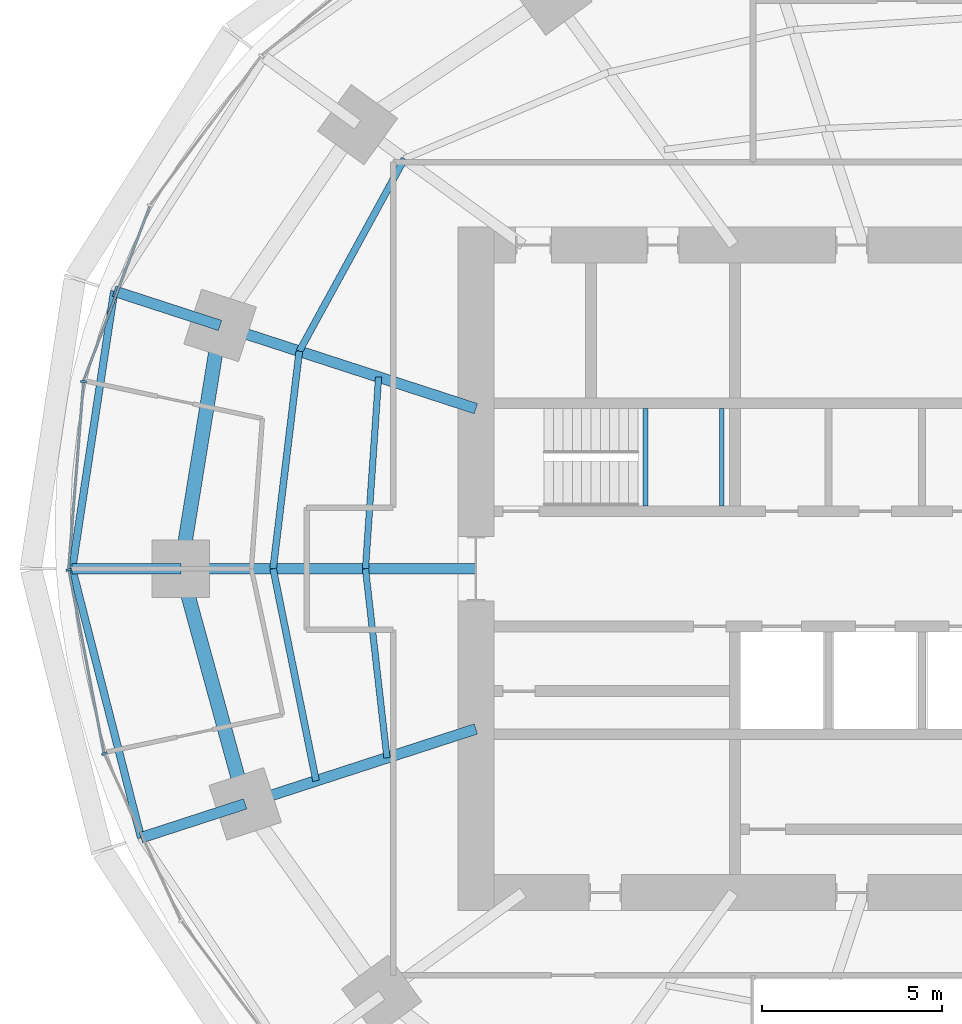
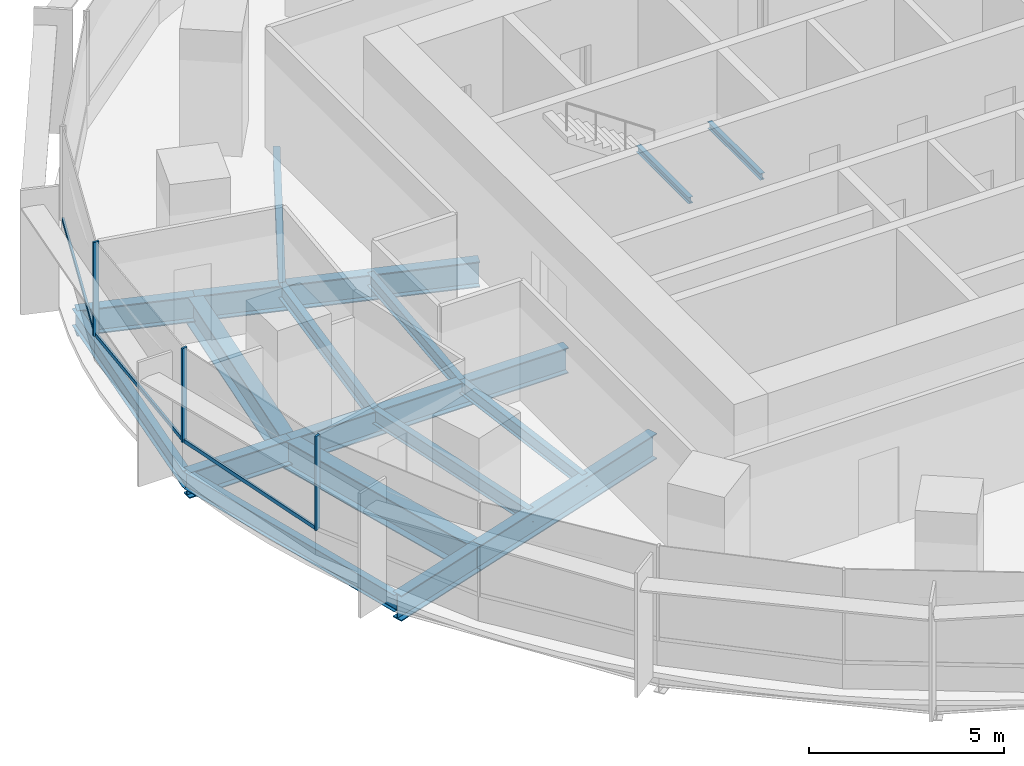
# One storey, part 4 of 14: 17 beams, 6 members, 2 elements without a shape of their own.
"""IFC4 building model written with IfcOpenShell, lengths in metres."""

from ifc_helpers import new_model, si_unit, direction, frame, origin, origin_2d, place, context, subcontext, project, spatial, rectangle, i_section, extrude, material, material_profile, profile_set, type_object, element, aggregate, save


model = new_model("IFC4")

# Units and contexts
model_context = context("Model", 3, precision=1e-05, world=origin(), true_north=direction((0.0, 1.0)))
body_context = subcontext(model_context, "Body", "Model", "MODEL_VIEW")
ifc_project = project(units=[si_unit("LENGTHUNIT", "METRE"), si_unit("AREAUNIT", "SQUARE_METRE"), si_unit("VOLUMEUNIT", "CUBIC_METRE"), si_unit("PLANEANGLEUNIT", "RADIAN"), si_unit("MASSUNIT", "GRAM", prefix="KILO")], contexts=[model_context])

# Site, building, storey
site_placement = place(None, origin())
site = spatial("IfcSite", under=ifc_project, at=site_placement, CompositionType="ELEMENT")
building_placement = place(site_placement, origin())
building = spatial("IfcBuilding", under=site, at=building_placement, Name="Marramba Exchange Tower", CompositionType="ELEMENT")
storey_placement = place(building_placement, frame((0.0, 0.0, 147.0)))
storey = spatial("IfcBuildingStorey", under=building, at=storey_placement, Name="L35", CompositionType="ELEMENT", Elevation=147.0)

# Beams
ifc_material_1 = material(Name="Steel AS/NZS 3679.2 grade 300", Category="steel")
ifc_material_profile_1 = material_profile(ifc_material_1, i_section(OverallWidth=0.300048828125, OverallDepth=0.800048828125, WebThickness=0.013916015625, FlangeThickness=0.031982421875, at=origin_2d()), Name="800WB192")
ifc_profile_set_1 = profile_set([ifc_material_profile_1], Name="Steel AS/NZS 3679.2 grade 300")
beam_type_1 = type_object("IfcBeamType", Name="Cantilever girder 800WB192", PredefinedType="BEAM", material=ifc_profile_set_1)
beam_1_placement = place(storey_placement, frame((-20.808349609375, 6.760986328125, -0.56005859375), z_axis=(-0.95104799017, 0.309043233858, 0.0), x_axis=(-0.309043233858, -0.95104799017, 0.0)))
element("IfcBeam", 1, at=beam_1_placement, inside=storey, type_object=beam_type_1, Name="Cantilever girder L35 TC10", PredefinedType="BEAM", context=body_context, shape_type="SweptSolid", body=[
    extrude(i_section(OverallWidth=0.300048828125, OverallDepth=0.800048828125, WebThickness=0.013916015625, FlangeThickness=0.031982421875, at=origin_2d()), origin(), (0.0, 0.0, 1.0), 3.0927734375),
])
beam_2_placement = place(storey_placement, frame((-21.89990234375, 0.0, -0.56005859375), z_axis=(-1.0, 0.0, 0.0), x_axis=(0.0, -1.0, 0.0)))
element("IfcBeam", 2, at=beam_2_placement, inside=storey, type_object=beam_type_1, Name="Cantilever girder L35 TC11", PredefinedType="BEAM", context=body_context, shape_type="SweptSolid", body=[
    extrude(i_section(OverallWidth=0.300048828125, OverallDepth=0.800048828125, WebThickness=0.013916015625, FlangeThickness=0.031982421875, at=origin_2d()), origin(), (0.0, 0.0, 1.0), 3.01806640625),
])
beam_3_placement = place(storey_placement, frame((-20.109375, -6.533935546875, -0.56005859375), z_axis=(-0.951070617775, -0.308973591113, 0.0), x_axis=(0.308973591113, -0.951070617775, 0.0)))
element("IfcBeam", 3, at=beam_3_placement, inside=storey, type_object=beam_type_1, Name="Cantilever girder L35 TC12", PredefinedType="BEAM", context=body_context, shape_type="SweptSolid", body=[
    extrude(i_section(OverallWidth=0.300048828125, OverallDepth=0.800048828125, WebThickness=0.013916015625, FlangeThickness=0.031982421875, at=origin_2d()), origin(), (0.0, 0.0, 1.0), 3.04296875),
])
ifc_material_2 = material(Name="Steel AS/NZS 3679.1 grade 300", Category="steel")
ifc_material_profile_2 = material_profile(ifc_material_2, i_section(OverallWidth=0.177978515625, OverallDepth=0.406005859375, WebThickness=0.0078125, FlangeThickness=0.0126953125, FilletRadius=0.011474609375, at=origin_2d()), Name="410UB59.7")
ifc_profile_set_2 = profile_set([ifc_material_profile_2], Name="Steel AS/NZS 3679.1 grade 300")
beam_type_2 = type_object("IfcBeamType", Name="Floor joist 410UB59.7", PredefinedType="JOIST", material=ifc_profile_set_2)
beam_4_placement = place(storey_placement, frame((-16.40283203125, 5.32958984375, -0.363037109375), z_axis=(-0.068096259546, -0.99767875563, 0.0), x_axis=(0.99767875563, -0.068096259546, 0.0)))
element("IfcBeam", 4, at=beam_4_placement, inside=storey, type_object=beam_type_2, Name="Joist L35 bay 10 row 1", PredefinedType="JOIST", context=body_context, shape_type="SweptSolid", body=[
    extrude(i_section(OverallWidth=0.177978515625, OverallDepth=0.406005859375, WebThickness=0.0078125, FlangeThickness=0.0126953125, FilletRadius=0.011474609375, at=origin_2d()), origin(), (0.0, 0.0, 1.0), 5.342041015625),
])
beam_5_placement = place(storey_placement, frame((-16.7666015625, 0.0, -0.363037109375), z_axis=(0.112888968594, -0.993607609054, 0.0), x_axis=(0.993607609054, 0.112888968594, 0.0)))
element("IfcBeam", 5, at=beam_5_placement, inside=storey, type_object=beam_type_2, Name="Joist L35 bay 11 row 1", PredefinedType="JOIST", context=body_context, shape_type="SweptSolid", body=[
    extrude(i_section(OverallWidth=0.177978515625, OverallDepth=0.406005859375, WebThickness=0.0078125, FlangeThickness=0.0126953125, FilletRadius=0.011474609375, at=origin_2d()), origin(), (0.0, 0.0, 1.0), 5.28759765625),
])
ifc_material_profile_3 = material_profile(ifc_material_2, i_section(OverallWidth=0.18994140625, OverallDepth=0.4541015625, WebThickness=0.008544921875, FlangeThickness=0.0126953125, FilletRadius=0.011474609375, at=origin_2d()), Name="460UB67.1")
ifc_profile_set_3 = profile_set([ifc_material_profile_3], Name="Steel AS/NZS 3679.1 grade 300")
beam_type_3 = type_object("IfcBeamType", Name="Floor joist 460UB67.1", PredefinedType="JOIST", material=ifc_profile_set_3)
beam_6_placement = place(storey_placement, frame((-15.682373046875, 11.393798828125, -0.386962890625), z_axis=(-0.479584443791, -0.877495732909, 0.0), x_axis=(0.877495732909, -0.479584443791, 0.0)))
element("IfcBeam", 6, at=beam_6_placement, inside=storey, type_object=beam_type_3, Name="Joist L35 bay 09 row 2", PredefinedType="JOIST", context=body_context, shape_type="SweptSolid", body=[
    extrude(i_section(OverallWidth=0.18994140625, OverallDepth=0.4541015625, WebThickness=0.008544921875, FlangeThickness=0.0126953125, FilletRadius=0.011474609375, at=origin_2d()), origin(), (0.0, 0.0, 1.0), 6.094970703125),
])
beam_7_placement = place(storey_placement, frame((-18.60546875, 6.04541015625, -0.386962890625), z_axis=(-0.119523078538, -0.992831422597, 0.0), x_axis=(0.992831422597, -0.119523078538, 0.0)))
element("IfcBeam", 7, at=beam_7_placement, inside=storey, type_object=beam_type_3, Name="Joist L35 bay 10 row 2", PredefinedType="JOIST", context=body_context, shape_type="SweptSolid", body=[
    extrude(i_section(OverallWidth=0.18994140625, OverallDepth=0.4541015625, WebThickness=0.008544921875, FlangeThickness=0.0126953125, FilletRadius=0.011474609375, at=origin_2d()), origin(), (0.0, 0.0, 1.0), 6.089111328125),
])
beam_8_placement = place(storey_placement, frame((-19.333251953125, 0.0, -0.386962890625), z_axis=(0.198489047047, -0.980103105904, 0.0), x_axis=(0.980103105904, 0.198489047047, 0.0)))
element("IfcBeam", 8, at=beam_8_placement, inside=storey, type_object=beam_type_3, Name="Joist L35 bay 11 row 2", PredefinedType="JOIST", context=body_context, shape_type="SweptSolid", body=[
    extrude(i_section(OverallWidth=0.18994140625, OverallDepth=0.4541015625, WebThickness=0.008544921875, FlangeThickness=0.0126953125, FilletRadius=0.011474609375, at=origin_2d()), origin(), (0.0, 0.0, 1.0), 6.013427734375),
])

# Curtain wall, member
ifc_material_3 = material(Name="Aluminium framing, bronze anodised", Category="aluminium")
curtain_wall_type = type_object("IfcCurtainWallType", Name="Office ribbon curtain wall", PredefinedType="USERDEFINED", material=ifc_material_3)
curtain_wall_1_placement = place(storey_placement, origin())
curtain_wall_1 = element("IfcCurtainWall", 9, at=curtain_wall_1_placement, inside=storey, type_object=curtain_wall_type, Name="Curtain wall CW4 L35 F11-F15", ObjectType="RIBBON CURTAIN WALL", PredefinedType="USERDEFINED")
ifc_material_4 = material(Name="Aluminium mullion, bronze anodised", Category="aluminium")
ifc_material_profile_4 = material_profile(ifc_material_4, rectangle(XDim=0.159912109375, YDim=0.06005859375, at=origin_2d()), Name="CW4 mullion 60x160")
ifc_profile_set_4 = profile_set([ifc_material_profile_4], Name="Aluminium mullion, bronze anodised")
member_type_1 = type_object("IfcMemberType", Name="Office ribbon curtain wall mullion", PredefinedType="MULLION", material=ifc_profile_set_4)
member_1_placement = place(storey_placement, frame((-24.603515625, 5.19921875, 0.800048828125), z_axis=(0.0, 0.0, 1.0), x_axis=(0.996838079455, -0.079459696383, 0.0)))
member_1 = element("IfcMember", 10, at=member_1_placement, type_object=member_type_1, Name="CW4 mullion 1", PredefinedType="MULLION", context=body_context, shape_type="SweptSolid", body=[
    extrude(rectangle(XDim=0.159912109375, YDim=0.06005859375, at=origin_2d()), origin(), (0.0, 0.0, 1.0), 2.93994140625),
])

# Curtain wall, members
curtain_wall_2_placement = place(storey_placement, origin())
curtain_wall_2 = element("IfcCurtainWall", 11, at=curtain_wall_2_placement, inside=storey, type_object=curtain_wall_type, Name="Curtain wall CW4 L35 F16-F20", ObjectType="RIBBON CURTAIN WALL", PredefinedType="USERDEFINED")
member_2_placement = place(storey_placement, frame((-25.012451171875, -0.029541015625, 0.800048828125), z_axis=(0.0, 0.0, 1.0), x_axis=(0.982125509078, 0.18822721487, 0.0)))
member_2 = element("IfcMember", 12, at=member_2_placement, type_object=member_type_1, Name="CW4 mullion 1", PredefinedType="MULLION", context=body_context, shape_type="SweptSolid", body=[
    extrude(rectangle(XDim=0.159912109375, YDim=0.06005859375, at=origin_2d()), origin(), (0.0, 0.0, 1.0), 2.93994140625),
])
member_3_placement = place(storey_placement, frame((-24.026123046875, -5.136962890625, 0.800048828125), z_axis=(0.0, 0.0, 1.0), x_axis=(0.909026713177, 0.416737848929, 0.0)))
member_3 = element("IfcMember", 13, at=member_3_placement, type_object=member_type_1, Name="CW4 mullion 1", PredefinedType="MULLION", context=body_context, shape_type="SweptSolid", body=[
    extrude(rectangle(XDim=0.159912109375, YDim=0.06005859375, at=origin_2d()), origin(), (0.0, 0.0, 1.0), 2.93994140625),
])

# Member
ifc_material_5 = material(Name="Aluminium transom, bronze anodised", Category="aluminium")
ifc_material_profile_5 = material_profile(ifc_material_5, rectangle(XDim=0.06005859375, YDim=0.1201171875, at=origin_2d()), Name="CW4 transom 60x120")
ifc_profile_set_5 = profile_set([ifc_material_profile_5], Name="Aluminium transom, bronze anodised")
member_type_2 = type_object("IfcMemberType", Name="Office ribbon curtain wall transom", PredefinedType="USERDEFINED", material=ifc_profile_set_5)
member_4_placement = place(storey_placement, frame((-22.763916015625, 10.069580078125, 0.830078125), z_axis=(-0.354851822252, -0.934922555212, 0.0), x_axis=(0.934922555212, -0.354851822252, 0.0)))
member_4 = element("IfcMember", 14, at=member_4_placement, type_object=member_type_2, Name="CW4 sill transom", ObjectType="TRANSOM", PredefinedType="USERDEFINED", context=body_context, shape_type="SweptSolid", body=[
    extrude(rectangle(XDim=0.06005859375, YDim=0.1201171875, at=origin_2d()), origin(), (0.0, 0.0, 1.0), 5.17724609375),
])

member_5_placement = place(storey_placement, frame((-24.60595703125, 5.16943359375, 0.830078125), z_axis=(-0.07946828762, -0.996837394595, 0.0), x_axis=(0.996837394595, -0.07946828762, 0.0)))
member_5 = element("IfcMember", 15, at=member_5_placement, type_object=member_type_2, Name="CW4 sill transom", ObjectType="TRANSOM", PredefinedType="USERDEFINED", context=body_context, shape_type="SweptSolid", body=[
    extrude(rectangle(XDim=0.06005859375, YDim=0.1201171875, at=origin_2d()), origin(), (0.0, 0.0, 1.0), 5.185791015625),
])

aggregate(curtain_wall_1, [member_4, member_1, member_5])

member_6_placement = place(storey_placement, frame((-25.006591796875, -0.058837890625, 0.830078125), z_axis=(0.188185293992, -0.982133542409, 0.0), x_axis=(0.982133542409, 0.188185293992, 0.0)))
member_6 = element("IfcMember", 16, at=member_6_placement, type_object=member_type_2, Name="CW4 sill transom", ObjectType="TRANSOM", PredefinedType="USERDEFINED", context=body_context, shape_type="SweptSolid", body=[
    extrude(rectangle(XDim=0.06005859375, YDim=0.1201171875, at=origin_2d()), origin(), (0.0, 0.0, 1.0), 5.142578125),
])

aggregate(curtain_wall_2, [member_2, member_6, member_3])

# Beams
ifc_material_profile_6 = material_profile(ifc_material_1, i_section(OverallWidth=0.300048828125, OverallDepth=0.800048828125, WebThickness=0.013916015625, FlangeThickness=0.031982421875, at=origin_2d()), Name="800WB192")
ifc_profile_set_6 = profile_set([ifc_material_profile_6], Name="Steel AS/NZS 3679.2 grade 300")
beam_type_4 = type_object("IfcBeamType", Name="Radial girder 800WB192", PredefinedType="BEAM", material=ifc_profile_set_6)
beam_9_placement = place(storey_placement, frame((-13.699951171875, 4.451416015625, -0.56005859375), z_axis=(-0.951059990189, 0.309006302624, 0.0), x_axis=(-0.309006302624, -0.951059990189, 0.0)))
element("IfcBeam", 17, at=beam_9_placement, inside=storey, type_object=beam_type_4, Name="Radial girder L35 TC10", PredefinedType="BEAM", context=body_context, shape_type="SweptSolid", body=[
    extrude(i_section(OverallWidth=0.300048828125, OverallDepth=0.800048828125, WebThickness=0.013916015625, FlangeThickness=0.031982421875, at=origin_2d()), origin(), (0.0, 0.0, 1.0), 7.47412109375),
])
beam_10_placement = place(storey_placement, frame((-13.699951171875, 0.0, -0.56005859375), z_axis=(-1.0, 0.0, 0.0), x_axis=(0.0, -1.0, 0.0)))
element("IfcBeam", 18, at=beam_10_placement, inside=storey, type_object=beam_type_4, Name="Radial girder L35 TC11", PredefinedType="BEAM", context=body_context, shape_type="SweptSolid", body=[
    extrude(i_section(OverallWidth=0.300048828125, OverallDepth=0.800048828125, WebThickness=0.013916015625, FlangeThickness=0.031982421875, at=origin_2d()), origin(), (0.0, 0.0, 1.0), 8.199951171875),
])
beam_11_placement = place(storey_placement, frame((-13.699951171875, -4.451416015625, -0.56005859375), z_axis=(-0.951057759669, -0.309013167637, 0.0), x_axis=(0.309013167637, -0.951057759669, 0.0)))
element("IfcBeam", 19, at=beam_11_placement, inside=storey, type_object=beam_type_4, Name="Radial girder L35 TC12", PredefinedType="BEAM", context=body_context, shape_type="SweptSolid", body=[
    extrude(i_section(OverallWidth=0.300048828125, OverallDepth=0.800048828125, WebThickness=0.013916015625, FlangeThickness=0.031982421875, at=origin_2d()), origin(), (0.0, 0.0, 1.0), 6.7392578125),
])
ifc_material_profile_7 = material_profile(ifc_material_1, i_section(OverallWidth=0.39990234375, OverallDepth=0.89990234375, WebThickness=0.01611328125, FlangeThickness=0.031982421875, at=origin_2d()), Name="900WB282")
ifc_profile_set_7 = profile_set([ifc_material_profile_7], Name="Steel AS/NZS 3679.2 grade 300")
beam_type_5 = type_object("IfcBeamType", Name="Ring beam 900WB282", PredefinedType="SPANDREL", material=ifc_profile_set_7)
beam_12_placement = place(storey_placement, frame((-20.808349609375, 6.760986328125, -0.610107421875), z_axis=(-0.159384865399, -0.987216523708, 0.0), x_axis=(0.987216523708, -0.159384865399, 0.0)))
element("IfcBeam", 20, at=beam_12_placement, inside=storey, type_object=beam_type_5, Name="Ring beam L35 TC10-TC11", PredefinedType="SPANDREL", context=body_context, shape_type="SweptSolid", body=[
    extrude(i_section(OverallWidth=0.39990234375, OverallDepth=0.89990234375, WebThickness=0.01611328125, FlangeThickness=0.031982421875, at=origin_2d()), origin(), (0.0, 0.0, 1.0), 6.8486328125),
])
beam_13_placement = place(storey_placement, frame((-21.89990234375, 0.0, -0.610107421875), z_axis=(0.264291166956, -0.964442937176, 0.0), x_axis=(0.964442937176, 0.264291166956, 0.0)))
element("IfcBeam", 21, at=beam_13_placement, inside=storey, type_object=beam_type_5, Name="Ring beam L35 TC11-TC12", PredefinedType="SPANDREL", context=body_context, shape_type="SweptSolid", body=[
    extrude(i_section(OverallWidth=0.39990234375, OverallDepth=0.89990234375, WebThickness=0.01611328125, FlangeThickness=0.031982421875, at=origin_2d()), origin(), (0.0, 0.0, 1.0), 6.77490234375),
])
ifc_material_profile_8 = material_profile(ifc_material_2, i_section(OverallWidth=0.208984375, OverallDepth=0.528076171875, WebThickness=0.009521484375, FlangeThickness=0.01318359375, FilletRadius=0.013916015625, at=origin_2d()), Name="530UB82.0")
ifc_profile_set_8 = profile_set([ifc_material_profile_8], Name="Steel AS/NZS 3679.1 grade 300")
beam_type_6 = type_object("IfcBeamType", Name="Slab edge beam 530UB82.0", PredefinedType="SPANDREL", material=ifc_profile_set_8)
beam_14_placement = place(storey_placement, frame((-23.749755859375, 7.716796875, -0.424072265625), z_axis=(-0.149680281727, -0.988734450326, 0.0), x_axis=(0.988734450326, -0.149680281727, 0.0)))
element("IfcBeam", 22, at=beam_14_placement, inside=storey, type_object=beam_type_6, Name="Slab edge beam L35 TC10-TC11", PredefinedType="SPANDREL", context=body_context, shape_type="SweptSolid", body=[
    extrude(i_section(OverallWidth=0.208984375, OverallDepth=0.528076171875, WebThickness=0.009521484375, FlangeThickness=0.01318359375, FilletRadius=0.013916015625, at=origin_2d()), origin(), (0.0, 0.0, 1.0), 7.8046875),
])
beam_15_placement = place(storey_placement, frame((-24.91796875, 0.0, -0.424072265625), z_axis=(0.248145427917, -0.968722791413, 0.0), x_axis=(0.968722791413, 0.248145427917, 0.0)))
element("IfcBeam", 23, at=beam_15_placement, inside=storey, type_object=beam_type_6, Name="Slab edge beam L35 TC11-TC12", PredefinedType="SPANDREL", context=body_context, shape_type="SweptSolid", body=[
    extrude(i_section(OverallWidth=0.208984375, OverallDepth=0.528076171875, WebThickness=0.009521484375, FlangeThickness=0.01318359375, FilletRadius=0.013916015625, at=origin_2d()), origin(), (0.0, 0.0, 1.0), 7.71533203125),
])
ifc_material_profile_9 = material_profile(ifc_material_2, i_section(OverallWidth=0.133056640625, OverallDepth=0.202880859375, WebThickness=0.005859375, FlangeThickness=0.0078125, FilletRadius=0.0087890625, at=origin_2d()), Name="200UB25.4")
ifc_profile_set_9 = profile_set([ifc_material_profile_9], Name="Steel AS/NZS 3679.1 grade 300")
beam_type_7 = type_object("IfcBeamType", Name="Stair landing beam 200UB25.4", PredefinedType="BEAM", material=ifc_profile_set_9)
for number, where, z_axis, x_axis, name in (
    (24, (-8.9833984375, 1.75, 1.6484375), (0.0, 1.0, 0.0), (-1.0, 0.0, 0.0), "Stair landing beam SLB1 ST1 L35 1"),
    (25, (-6.866455078125, 1.75, 1.6484375), (0.0, 1.0, 0.0), (-1.0, 0.0, 0.0), "Stair landing beam SLB1 ST1 L35 2"),
):
    element("IfcBeam", number, at=place(storey_placement, frame(where, z_axis=z_axis, x_axis=x_axis)), inside=storey, type_object=beam_type_7, Name=name, PredefinedType="BEAM", context=body_context, shape_type="SweptSolid", body=[
        extrude(i_section(OverallWidth=0.133056640625, OverallDepth=0.202880859375, WebThickness=0.005859375, FlangeThickness=0.0078125, FilletRadius=0.0087890625, at=origin_2d()), origin(), (0.0, 0.0, 1.0), 2.699951171875),
    ])

save(model, "model.ifc")
